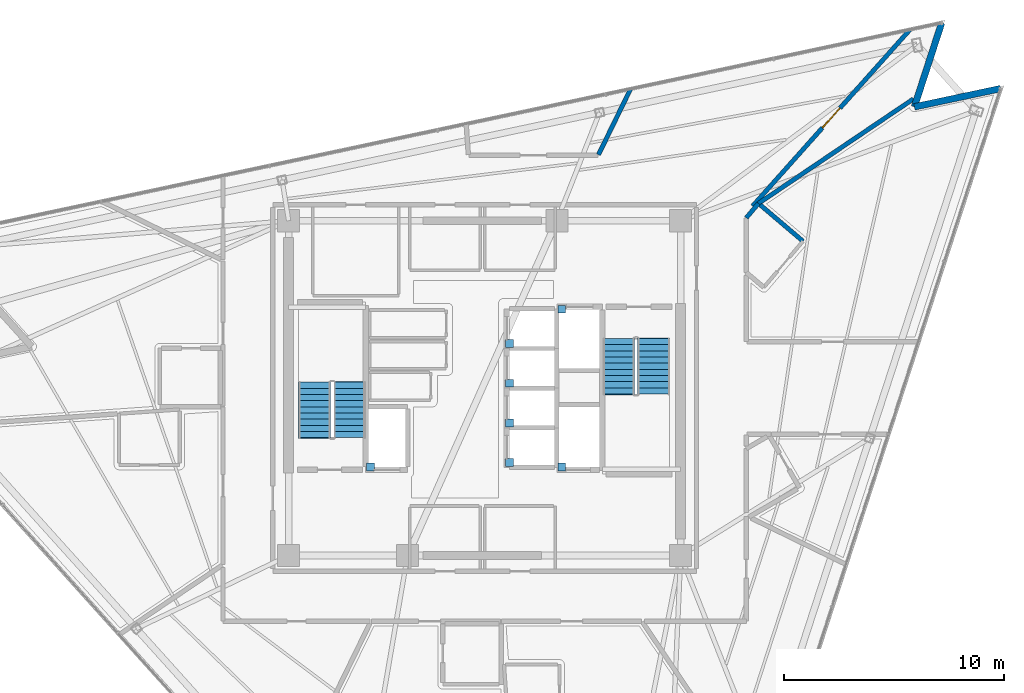
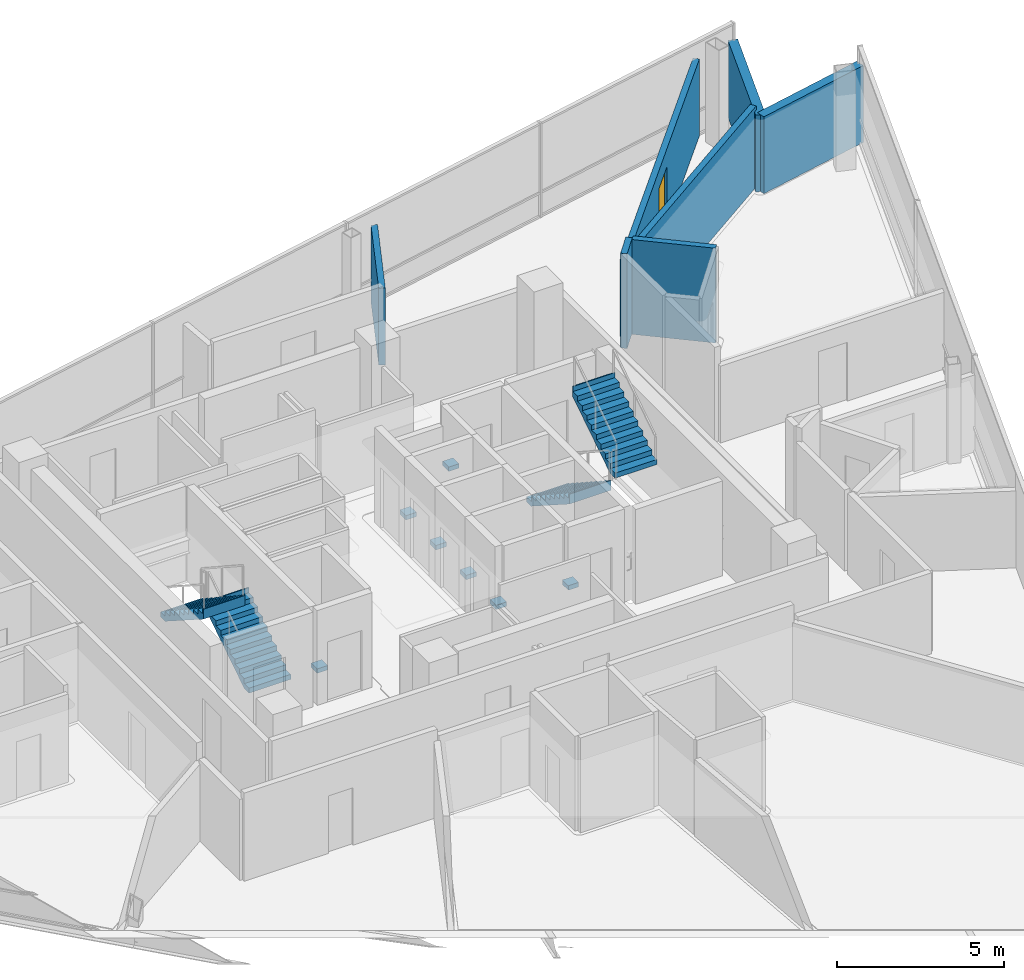
# One storey, part 13 of 18: 7 discrete accessories, 7 walls, 4 stair flights, 1 door, 1 opening, 2 elements without a shape of their own.
"""IFC4 building model written with IfcOpenShell, lengths in metres."""

from ifc_helpers import new_model, si_unit, direction, frame, frame_2d, origin, origin_2d, place, context, subcontext, project, spatial, polyline, rectangle, outline, extrude, material, layer, layer_set, type_object, element, fill, aggregate, save


model = new_model("IFC4")

# Units and contexts
model_context = context("Model", 3, precision=1e-05, world=origin(), true_north=direction((0.0, 1.0)))
body_context = subcontext(model_context, "Body", "Model", "MODEL_VIEW")
ifc_project = project(units=[si_unit("LENGTHUNIT", "METRE"), si_unit("AREAUNIT", "SQUARE_METRE"), si_unit("VOLUMEUNIT", "CUBIC_METRE"), si_unit("PLANEANGLEUNIT", "RADIAN"), si_unit("MASSUNIT", "GRAM", prefix="KILO")], contexts=[model_context])

# Site, building, storey
site_placement = place(None, origin())
site = spatial("IfcSite", under=ifc_project, at=site_placement, CompositionType="ELEMENT")
building_placement = place(site_placement, origin())
building = spatial("IfcBuilding", under=site, at=building_placement, Name="Tharavind Bronze Gate", CompositionType="ELEMENT")
storey_placement = place(building_placement, frame((0.0, 0.0, 287.050048828125)))
storey = spatial("IfcBuildingStorey", under=building, at=storey_placement, Name="L74", CompositionType="ELEMENT", Elevation=287.050048828125)

# Walls
ifc_material_1 = material(Name="Concrete C40/50", Category="concrete")
ifc_layer_1 = layer(ifc_material_1, 0.300048828125)
ifc_layer_set_1 = layer_set([ifc_layer_1], Name="Concrete C40/50")
wall_type_1 = type_object("IfcWallType", Name="EXTERIOR SPANDREL WALL 300", PredefinedType="STANDARD", material=ifc_layer_set_1)
wall_1_placement = place(storey_placement, frame((23.433837890625, 13.603271484375, 0.0), z_axis=(0.0, 0.0, 1.0), x_axis=(-0.97815049033, -0.207898095871, 0.0)))
element("IfcWall", 1, at=wall_1_placement, inside=storey, type_object=wall_type_1, Name="L74 notch cheek wall 3A", PredefinedType="STANDARD", context=body_context, shape_type="SweptSolid", body=[
    extrude(rectangle(XDim=4.008056640625, YDim=0.300048828125, at=frame_2d((2.00390625, 0.0))), origin(), (0.0, 0.0, 1.0), 2.81005859375),
])
wall_2_placement = place(storey_placement, frame((19.513427734375, 12.77001953125, 0.0), z_axis=(0.0, 0.0, 1.0), x_axis=(0.309018580232, 0.951056001018, 0.0)))
element("IfcWall", 2, at=wall_2_placement, inside=storey, type_object=wall_type_1, Name="L74 notch cheek wall 3B", PredefinedType="STANDARD", context=body_context, shape_type="SweptSolid", body=[
    extrude(rectangle(XDim=4.0078125, YDim=0.300048828125, at=frame_2d((2.00390625, 0.0))), origin(), (0.0, 0.0, 1.0), 2.81005859375),
])
ifc_material_2 = material(Name="Aerated Concrete Block", Category="concrete")
ifc_layer_2 = layer(ifc_material_2, 0.199951171875)
ifc_layer_set_2 = layer_set([ifc_layer_2], Name="Aerated Concrete Block")
wall_type_2 = type_object("IfcWallType", Name="FIRE RATED PARTITION 200", PredefinedType="PARTITIONING", material=ifc_layer_set_2)
wall_3_placement = place(storey_placement, frame((11.8798828125, 7.73388671875, 0.0), z_axis=(0.0, 0.0, 1.0), x_axis=(0.647383821679, 0.7621641473, 0.0)))
element("IfcWall", 3, at=wall_3_placement, inside=storey, type_object=wall_type_2, Name="L74 En-Suite Bathroom partition", PredefinedType="PARTITIONING", context=body_context, shape_type="SweptSolid", body=[
    extrude(rectangle(XDim=0.857177734375, YDim=0.199951171875, at=frame_2d((0.4287109375, 0.0))), origin(), (0.0, 0.0, 1.0), 3.46484375),
])
wall_4_placement = place(storey_placement, frame((12.5146484375, 8.3193359375, 0.0), z_axis=(0.0, 0.0, 1.0), x_axis=(0.762275325084, -0.647252909432, 0.0)))
element("IfcWall", 4, at=wall_4_placement, inside=storey, type_object=wall_type_2, Name="L74 En-Suite Bathroom partition", PredefinedType="PARTITIONING", context=body_context, shape_type="SweptSolid", body=[
    extrude(rectangle(XDim=2.544921875, YDim=0.199951171875, at=frame_2d((1.2724609375, 0.0))), origin(), (0.0, 0.0, 1.0), 3.46484375),
])
wall_5_placement = place(storey_placement, frame((12.434814453125, 8.38720703125, 0.0), z_axis=(0.0, 0.0, 1.0), x_axis=(0.82904079251, 0.559188129661, 0.0)))
element("IfcWall", 5, at=wall_5_placement, inside=storey, type_object=wall_type_2, Name="L74 Corner Hotel Suite partition", PredefinedType="PARTITIONING", context=body_context, shape_type="SweptSolid", body=[
    extrude(rectangle(XDim=8.483642578125, YDim=0.199951171875, at=frame_2d((4.24169921875, 0.0))), origin(), (0.0, 0.0, 1.0), 2.9599609375),
])

# Wall, opening, door
wall_6_placement = place(storey_placement, frame((12.1640625, 8.26416015625, 0.0), z_axis=(0.0, 0.0, 1.0), x_axis=(0.665683993265, 0.746233757686, 0.0)))
wall_6 = element("IfcWall", 6, at=wall_6_placement, inside=storey, type_object=wall_type_2, Name="L74 Hotel Guest Lounge partition", PredefinedType="PARTITIONING", context=body_context, shape_type="SweptSolid", body=[
    extrude(rectangle(XDim=10.735595703125, YDim=0.199951171875, at=frame_2d((5.36767578125, 0.0))), origin(), (0.0, 0.0, 1.0), 2.81005859375),
])
opening_placement = place(wall_6_placement, frame((4.76806640625, 0.0, 0.0)))
opening = element("IfcOpeningElement", 7, at=opening_placement, cuts=wall_6, Name="Opening ID05", PredefinedType="OPENING", context=body_context, shape_type="SweptSolid", body=[
    extrude(rectangle(XDim=1.199951171875, YDim=2.14990234375, at=frame_2d((0.60009765625, 1.074951171875))), frame((0.0, 0.11009765625, 0.0), z_axis=(0.0, -1.0, 0.0), x_axis=(1.0, 0.0, 0.0)), (0.0, 0.0, 1.0), 0.219951171875),
])
ifc_material_3 = material(Name="Acoustic Laminated Glass", Category="glass")
door_type = type_object("IfcDoorType", Name="MEETING ROOM GLAZED DOOR 1200X2150", OperationType="SINGLE_SWING_LEFT", PredefinedType="DOOR", material=ifc_material_3)
door_placement = place(opening_placement, origin())
door = element("IfcDoor", 8, at=door_placement, inside=storey, type_object=door_type, Name="L74 Hotel Guest Lounge door", OperationType="SINGLE_SWING_LEFT", OverallHeight=2.14990234375, OverallWidth=1.199951171875, PredefinedType="DOOR", context=body_context, shape_type="SweptSolid", body=[
    extrude(rectangle(XDim=1.199951171875, YDim=2.14990234375, at=frame_2d((0.60009765625, 1.074951171875))), frame((0.0, 0.02490234375, 0.0), z_axis=(0.0, -1.0, 0.0), x_axis=(1.0, 0.0, 0.0)), (0.0, 0.0, 1.0), 0.050048828125),
])
fill(opening, door)

# Wall
wall_7_placement = place(storey_placement, frame((6.622802734375, 13.57861328125, 0.0), z_axis=(0.0, 0.0, 1.0), x_axis=(-0.438399007469, -0.898780457203, 0.0)))
element("IfcWall", 9, at=wall_7_placement, inside=storey, type_object=wall_type_2, Name="L74 Hotel Guest Lounge partition", PredefinedType="PARTITIONING", context=body_context, shape_type="SweptSolid", body=[
    extrude(rectangle(XDim=3.32080078125, YDim=0.199951171875, at=frame_2d((1.660400390625, 0.0))), origin(), (0.0, 0.0, 1.0), 2.81005859375),
])

# Stair, stair flights
stair_type = type_object("IfcStairType", Name="CORE HALF TURN STAIR 1450", PredefinedType="HALF_TURN_STAIR", material=ifc_material_1)
stair_1_placement = place(storey_placement, origin())
stair_1 = element("IfcStair", 10, at=stair_1_placement, inside=storey, type_object=stair_type, Name="L74 Protected Exit Stair ST1", PredefinedType="HALF_TURN_STAIR")
stair_flight_type = type_object("IfcStairFlightType", Name="CORE STAIR FLIGHT 1450", PredefinedType="STRAIGHT", material=ifc_material_1)
stair_flight_1_placement = place(storey_placement, frame((-6.125, -2.25, 0.0), z_axis=(0.0, 0.0, 1.0), x_axis=(0.0, 1.0, 0.0)))
stair_flight_1 = element("IfcStairFlight", 11, at=stair_flight_1_placement, type_object=stair_flight_type, Name="ST1 flight 1", NumberOfRisers=10, NumberOfTreads=9, PredefinedType="STRAIGHT", RiserHeight=0.1825, TreadLength=0.28, context=body_context, shape_type="SweptSolid", body=[
    extrude(outline(polyline([(0.0, 0.0), (0.0, 0.1826171875), (0.280029296875, 0.1826171875), (0.280029296875, 0.364990234375), (0.56005859375, 0.364990234375), (0.56005859375, 0.547607421875), (0.840087890625, 0.547607421875), (0.840087890625, 0.72998046875), (1.1201171875, 0.72998046875), (1.1201171875, 0.91259765625), (1.39990234375, 0.91259765625), (1.39990234375, 1.094970703125), (1.679931640625, 1.094970703125), (1.679931640625, 1.277587890625), (1.9599609375, 1.277587890625), (1.9599609375, 1.4599609375), (2.239990234375, 1.4599609375), (2.239990234375, 1.642578125), (2.52001953125, 1.642578125), (2.52001953125, 1.824951171875), (2.555908203125, 1.824951171875), (2.555908203125, 1.463623046875), (0.2744140625, 0.0), (0.0, 0.0)])), frame((0.0, 0.72509765625, 0.0), z_axis=(0.0, -1.0, 0.0), x_axis=(1.0, 0.0, 0.0)), (0.0, 0.0, 1.0), 1.449951171875),
])
stair_flight_2_placement = place(storey_placement, frame((-7.72509765625, 0.27001953125, 1.824951171875), z_axis=(0.0, 0.0, 1.0), x_axis=(0.0, -1.0, 0.0)))
stair_flight_2 = element("IfcStairFlight", 12, at=stair_flight_2_placement, type_object=stair_flight_type, Name="ST1 flight 2", NumberOfRisers=10, NumberOfTreads=9, PredefinedType="STRAIGHT", RiserHeight=0.1825, TreadLength=0.28, context=body_context, shape_type="SweptSolid", body=[
    extrude(outline(polyline([(0.0, 0.0), (0.0, 0.1826171875), (0.280029296875, 0.1826171875), (0.280029296875, 0.364990234375), (0.56005859375, 0.364990234375), (0.56005859375, 0.547607421875), (0.840087890625, 0.547607421875), (0.840087890625, 0.72998046875), (1.1201171875, 0.72998046875), (1.1201171875, 0.91259765625), (1.39990234375, 0.91259765625), (1.39990234375, 1.094970703125), (1.679931640625, 1.094970703125), (1.679931640625, 1.277587890625), (1.9599609375, 1.277587890625), (1.9599609375, 1.4599609375), (2.239990234375, 1.4599609375), (2.239990234375, 1.642578125), (2.52001953125, 1.642578125), (2.52001953125, 1.824951171875), (2.555908203125, 1.824951171875), (2.555908203125, 1.463623046875), (0.2744140625, 0.0), (0.0, 0.0)])), frame((0.0, 0.72509765625, 0.0), z_axis=(0.0, -1.0, 0.0), x_axis=(1.0, 0.0, 0.0)), (0.0, 0.0, 1.0), 1.449951171875),
])
aggregate(stair_1, [stair_flight_1, stair_flight_2])

stair_2_placement = place(storey_placement, origin())
stair_2 = element("IfcStair", 13, at=stair_2_placement, inside=storey, type_object=stair_type, Name="L74 Protected Exit Stair ST2", PredefinedType="HALF_TURN_STAIR")
stair_flight_3_placement = place(storey_placement, frame((6.074951171875, 2.25, 0.0), z_axis=(0.0, 0.0, 1.0), x_axis=(0.0, -1.0, 0.0)))
stair_flight_3 = element("IfcStairFlight", 14, at=stair_flight_3_placement, type_object=stair_flight_type, Name="ST2 flight 1", NumberOfRisers=10, NumberOfTreads=9, PredefinedType="STRAIGHT", RiserHeight=0.1825, TreadLength=0.28, context=body_context, shape_type="SweptSolid", body=[
    extrude(outline(polyline([(0.0, 0.0), (0.0, 0.1826171875), (0.280029296875, 0.1826171875), (0.280029296875, 0.364990234375), (0.56005859375, 0.364990234375), (0.56005859375, 0.547607421875), (0.840087890625, 0.547607421875), (0.840087890625, 0.72998046875), (1.1201171875, 0.72998046875), (1.1201171875, 0.91259765625), (1.39990234375, 0.91259765625), (1.39990234375, 1.094970703125), (1.679931640625, 1.094970703125), (1.679931640625, 1.277587890625), (1.9599609375, 1.277587890625), (1.9599609375, 1.4599609375), (2.239990234375, 1.4599609375), (2.239990234375, 1.642578125), (2.52001953125, 1.642578125), (2.52001953125, 1.824951171875), (2.555908203125, 1.824951171875), (2.555908203125, 1.463623046875), (0.2744140625, 0.0), (0.0, 0.0)])), frame((0.0, 0.72509765625, 0.0), z_axis=(0.0, -1.0, 0.0), x_axis=(1.0, 0.0, 0.0)), (0.0, 0.0, 1.0), 1.449951171875),
])
stair_flight_4_placement = place(storey_placement, frame((7.675048828125, -0.27001953125, 1.824951171875), z_axis=(0.0, 0.0, 1.0), x_axis=(0.0, 1.0, 0.0)))
stair_flight_4 = element("IfcStairFlight", 15, at=stair_flight_4_placement, type_object=stair_flight_type, Name="ST2 flight 2", NumberOfRisers=10, NumberOfTreads=9, PredefinedType="STRAIGHT", RiserHeight=0.1825, TreadLength=0.28, context=body_context, shape_type="SweptSolid", body=[
    extrude(outline(polyline([(0.0, 0.0), (0.0, 0.1826171875), (0.280029296875, 0.1826171875), (0.280029296875, 0.364990234375), (0.56005859375, 0.364990234375), (0.56005859375, 0.547607421875), (0.840087890625, 0.547607421875), (0.840087890625, 0.72998046875), (1.1201171875, 0.72998046875), (1.1201171875, 0.91259765625), (1.39990234375, 0.91259765625), (1.39990234375, 1.094970703125), (1.679931640625, 1.094970703125), (1.679931640625, 1.277587890625), (1.9599609375, 1.277587890625), (1.9599609375, 1.4599609375), (2.239990234375, 1.4599609375), (2.239990234375, 1.642578125), (2.52001953125, 1.642578125), (2.52001953125, 1.824951171875), (2.555908203125, 1.824951171875), (2.555908203125, 1.463623046875), (0.2744140625, 0.0), (0.0, 0.0)])), frame((0.0, 0.72509765625, 0.0), z_axis=(0.0, -1.0, 0.0), x_axis=(1.0, 0.0, 0.0)), (0.0, 0.0, 1.0), 1.449951171875),
])
aggregate(stair_2, [stair_flight_3, stair_flight_4])

# Discrete accessories
ifc_material_4 = material(Name="Galvanised Steel S355", Category="steel")
discrete_accessory_type = type_object("IfcDiscreteAccessoryType", Name="LIFT GUIDE RAIL BRACKET", PredefinedType="BRACKET", material=ifc_material_4)
for number, where, z_axis, x_axis, name in (
    (16, (1.1201171875, -3.3798828125, 1.1201171875), (0.0, 0.0, 1.0), (1.0, 0.0, 0.0), "Lift PL9 guide rail bracket at L74"),
    (17, (1.1201171875, -1.580078125, 1.1201171875), (0.0, 0.0, 1.0), (1.0, 0.0, 0.0), "Lift PL10 guide rail bracket at L74"),
    (18, (1.1201171875, 0.219970703125, 1.1201171875), (0.0, 0.0, 1.0), (1.0, 0.0, 0.0), "Lift PL11 guide rail bracket at L74"),
    (19, (1.1201171875, 2.02001953125, 1.1201171875), (0.0, 0.0, 1.0), (1.0, 0.0, 0.0), "Lift PL12 guide rail bracket at L74"),
    (20, (-5.179931640625, -3.580078125, 1.1201171875), (0.0, 0.0, 1.0), (1.0, 0.0, 0.0), "Lift FFL1 guide rail bracket at L74"),
    (21, (3.5, 3.580078125, 1.1201171875), (0.0, 0.0, 1.0), (1.0, 0.0, 0.0), "Lift FFL2 guide rail bracket at L74"),
    (22, (3.5, -3.580078125, 1.1201171875), (0.0, 0.0, 1.0), (1.0, 0.0, 0.0), "Lift SVL1 guide rail bracket at L74"),
):
    element("IfcDiscreteAccessory", number, at=place(storey_placement, frame(where, z_axis=z_axis, x_axis=x_axis)), inside=storey, type_object=discrete_accessory_type, Name=name, PredefinedType="BRACKET", context=body_context, shape_type="SweptSolid", body=[
        extrude(rectangle(XDim=0.360107421875, YDim=0.360107421875, at=origin_2d()), origin(), (0.0, 0.0, 1.0), 0.159912109375),
    ])

save(model, "model.ifc")
